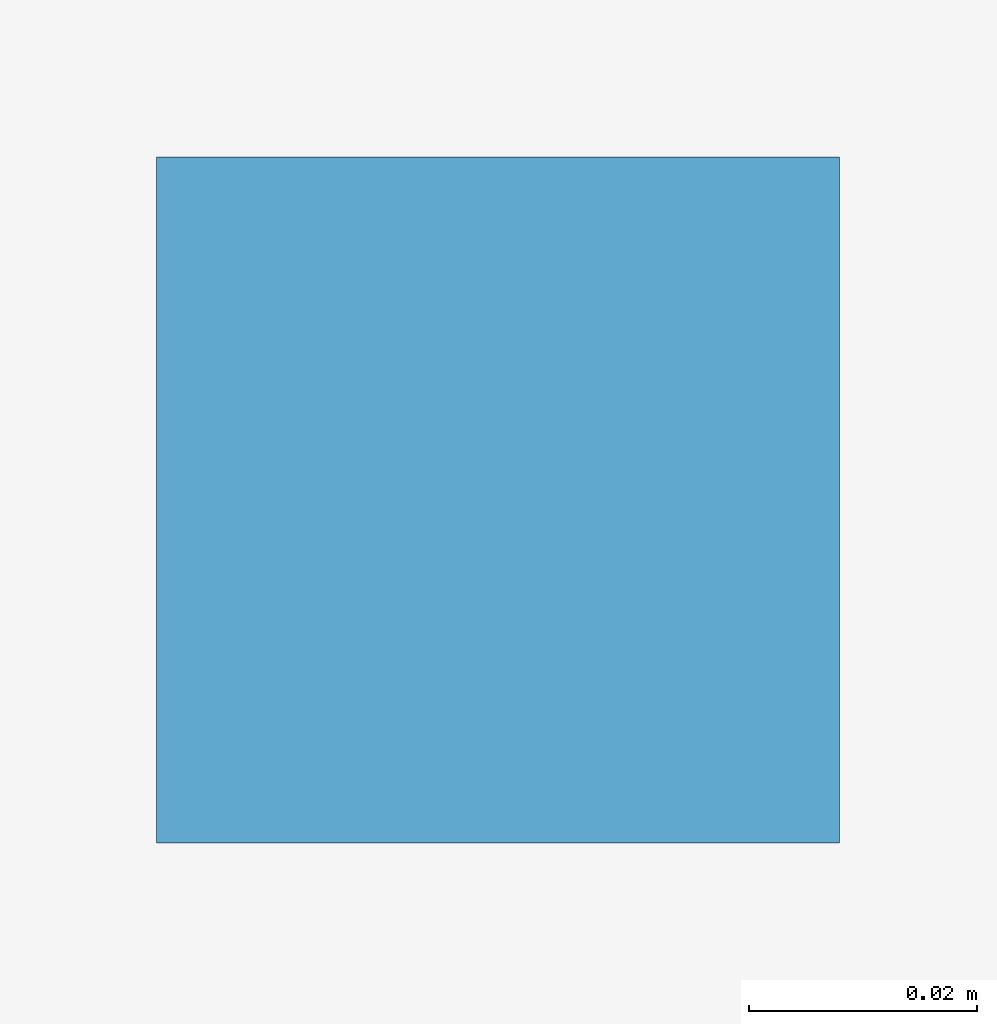
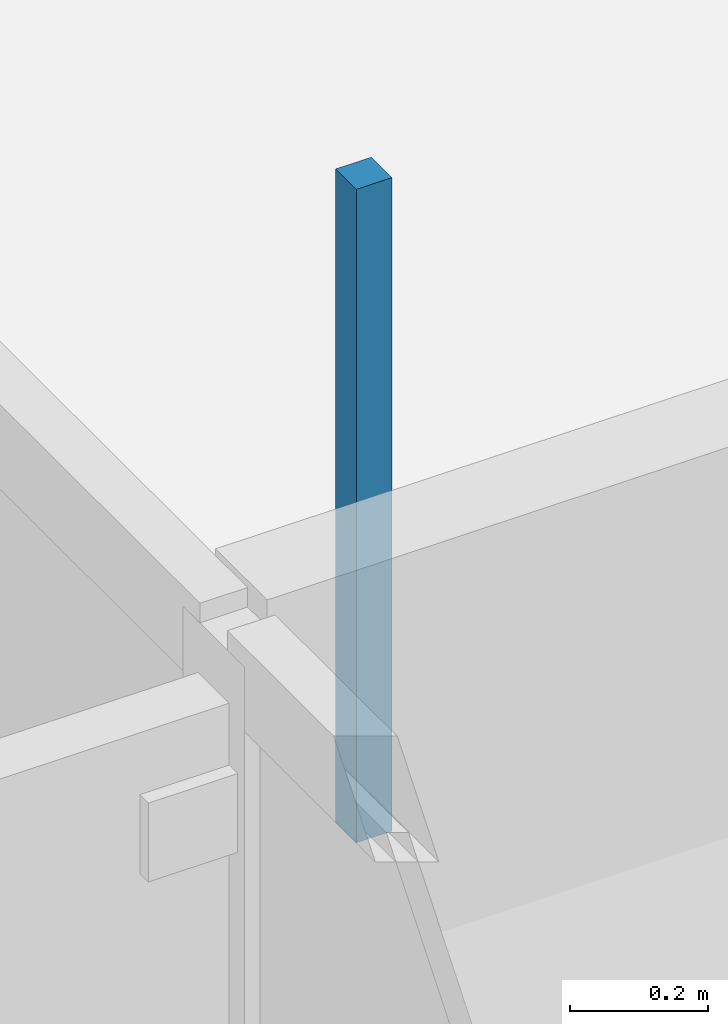
# One storey, part 83 of 110: 1 discrete accessory.
"""IFC4 building model written with IfcOpenShell, lengths in metres."""

import ifcopenshell
import ifcopenshell.guid

model = None  # the IFC model being written
_history = None  # IfcOwnerHistory: only IFC2X3 demands one
_inside = {}  # id of a spatial element -> (the spatial element, [elements in it])
_under = {}  # id of a project, library or spatial element -> (it, [spatial elements below it])
_declared = {}  # id of a project -> (the project, [libraries it declares])
_typed = {}  # id of a type object -> (the type object, [elements of that type])
_made_of = {}  # id of a material, layer set ... -> (it, [elements and type objects made of it])


def new_model(schema):
    """Start an empty IFC model of exactly this schema.

    Asked for "IFC4X3", IfcOpenShell would pick the latest addendum, in which some entities
    have other attributes; the version numbers below select the first issue.
    IFC2X3 requires an IfcOwnerHistory on every rooted entity: one is made here for all.
    """
    global model, _history
    if schema == "IFC4X3":
        model = ifcopenshell.file(schema_version=(4, 3, 0, 0))
    else:
        model = ifcopenshell.file(schema=schema)
    _inside.clear()
    _under.clear()
    _declared.clear()
    _typed.clear()
    _made_of.clear()
    _history = None
    if model.schema == "IFC2X3":
        org = make("IfcOrganization", Name="unknown")
        user = make(
            "IfcPersonAndOrganization",
            ThePerson=make("IfcPerson", FamilyName="unknown"),
            TheOrganization=org,
        )
        app = make(
            "IfcApplication",
            ApplicationDeveloper=org,
            Version="unknown",
            ApplicationFullName="unknown",
            ApplicationIdentifier="unknown",
        )
        _history = make(
            "IfcOwnerHistory",
            OwningUser=user,
            OwningApplication=app,
            ChangeAction="ADDED",
            CreationDate=0,
        )
    return model


def make(cls, **values):
    """One entity of the class cls with the attributes given. An attribute that is None is left unset."""
    return model.create_entity(
        cls, **{name: value for name, value in values.items() if value is not None}
    )


def rooted(cls, **values):
    """An entity with a GlobalId (a new one), such as an element, a storey or a relation."""
    return make(cls, GlobalId=ifcopenshell.guid.new(), OwnerHistory=_history, **values)


def si_unit(unit_type, name, prefix=None):
    """IfcSIUnit, for example si_unit("LENGTHUNIT", "METRE", prefix="MILLI")."""
    return make("IfcSIUnit", UnitType=unit_type, Prefix=prefix, Name=name)


def assignment(units):
    """IfcUnitAssignment: the units of a project."""
    return None if units is None else make("IfcUnitAssignment", Units=units)


def point(xyz):
    """IfcCartesianPoint."""
    return None if xyz is None else make("IfcCartesianPoint", Coordinates=xyz)


def direction(xyz):
    """IfcDirection."""
    return None if xyz is None else make("IfcDirection", DirectionRatios=xyz)


def frame(location, z_axis=None, x_axis=None):
    """IfcAxis2Placement3D, a coordinate frame: its origin and axes. An axis left out is left unset."""
    return make(
        "IfcAxis2Placement3D",
        Location=point(location),
        Axis=direction(z_axis),
        RefDirection=direction(x_axis),
    )


def origin():
    """The frame at (0, 0, 0) with its axes left unset."""
    return frame((0.0, 0.0, 0.0))


def place(relative_to, where):
    """IfcLocalPlacement: puts the frame where relative to a parent placement (None: the world)."""
    return make(
        "IfcLocalPlacement", PlacementRelTo=relative_to, RelativePlacement=where
    )


def context(
    kind, dimensions, precision=None, world=None, true_north=None, identifier=None
):
    """IfcGeometricRepresentationContext, for example the 3D "Model" context."""
    return make(
        "IfcGeometricRepresentationContext",
        ContextIdentifier=identifier,
        ContextType=kind,
        CoordinateSpaceDimension=dimensions,
        Precision=precision,
        WorldCoordinateSystem=world,
        TrueNorth=true_north,
    )


def subcontext(parent, identifier, kind, view, scale=None):
    """IfcGeometricRepresentationSubContext, for example "Body" below "Model"."""
    return make(
        "IfcGeometricRepresentationSubContext",
        ContextIdentifier=identifier,
        ContextType=kind,
        ParentContext=parent,
        TargetScale=scale,
        TargetView=view,
    )


def project(units=None, contexts=None):
    """IfcProject with its units and contexts."""
    return rooted(
        "IfcProject",
        Name="project",
        RepresentationContexts=contexts,
        UnitsInContext=assignment(units),
    )


def spatial(cls, under=None, at=None, **own):
    """A site, building, storey or space (cls), placed at a placement, below another one or the project."""
    s = rooted(cls, ObjectPlacement=at, **own)
    if under is not None:
        _under.setdefault(under.id(), (under, []))[1].append(s)
    return s


def polyline(points):
    """IfcPolyline through the points."""
    return make("IfcPolyline", Points=[point(p) for p in points])


def outline(outer, holes=None, kind="AREA"):
    """IfcArbitraryClosedProfileDef: a profile drawn as a closed curve; with holes, ...WithVoids."""
    if holes is None:
        return make("IfcArbitraryClosedProfileDef", ProfileType=kind, OuterCurve=outer)
    return make(
        "IfcArbitraryProfileDefWithVoids",
        ProfileType=kind,
        OuterCurve=outer,
        InnerCurves=holes,
    )


def extrude(swept, where, along, depth):
    """IfcExtrudedAreaSolid: the profile swept, set in the frame where, extruded along a direction by depth."""
    return make(
        "IfcExtrudedAreaSolid",
        SweptArea=swept,
        Position=where,
        ExtrudedDirection=direction(along),
        Depth=depth,
    )


def shape(context_of_items, identifier, shape_type, items):
    """IfcShapeRepresentation: the items that make up one representation, for example the "Body"."""
    return make(
        "IfcShapeRepresentation",
        ContextOfItems=context_of_items,
        RepresentationIdentifier=identifier,
        RepresentationType=shape_type,
        Items=items,
    )


def material(Name=None, Category=None):
    """IfcMaterial."""
    return make("IfcMaterial", Name=Name, Category=Category)


def made_of(thing, what):
    """Note that an element or type object is made of a material, layer set ...; save() writes the relation."""
    if what is not None:
        _made_of.setdefault(what.id(), (what, []))[1].append(thing)
    return thing


def type_object(cls, material=None, **own):
    """A type object (cls), such as IfcWallType, which elements share."""
    return made_of(rooted(cls, **own), material)


def element(
    cls,
    number,
    at=None,
    inside=None,
    cuts=None,
    type_object=None,
    material=None,
    context=None,
    identifier="Body",
    shape_type=None,
    held_by="IfcProductDefinitionShape",
    body=None,
    shapes=None,
    **own,
):
    """One element of the class cls, such as IfcWall. Its Tag is "e" and its number.

    at: its placement. inside: the storey or other place that contains it. cuts: it is an
    opening in that element (IfcRelVoidsElement). A single representation is given by context,
    identifier, shape_type and body (its items); several are given by shapes. held_by: the class
    of the entity that holds the representations. save() writes the other relations.
    """
    e = rooted(cls, Tag="e%d" % number, ObjectPlacement=at, **own)
    if body is not None:
        shapes = [shape(context, identifier, shape_type, body)]
    if shapes is not None:
        e.Representation = make(held_by, Representations=shapes)
    if inside is not None:
        _inside.setdefault(inside.id(), (inside, []))[1].append(e)
    if cuts is not None:
        rooted(
            "IfcRelVoidsElement", RelatingBuildingElement=cuts, RelatedOpeningElement=e
        )
    if type_object is not None:
        _typed.setdefault(type_object.id(), (type_object, []))[1].append(e)
    return made_of(e, material)


def aggregate(whole, parts):
    """IfcRelAggregates: a whole, such as a stair, and the parts it consists of."""
    return rooted("IfcRelAggregates", RelatingObject=whole, RelatedObjects=parts)


def save(model, path):
    """Write the relations noted so far, then the file.

    IfcRelAggregates (storeys below a building ...), IfcRelContainedInSpatialStructure (elements
    in a storey), IfcRelDefinesByType, IfcRelAssociatesMaterial and IfcRelDeclares: one each for
    every whole, place, type object, material and project.
    """
    for whole, parts in _under.values():
        aggregate(whole, parts)
    for where, things in _inside.values():
        rooted(
            "IfcRelContainedInSpatialStructure",
            RelatedElements=things,
            RelatingStructure=where,
        )
    for kind, things in _typed.values():
        rooted("IfcRelDefinesByType", RelatedObjects=things, RelatingType=kind)
    for what, things in _made_of.values():
        rooted("IfcRelAssociatesMaterial", RelatedObjects=things, RelatingMaterial=what)
    for by, libraries in _declared.values():
        rooted("IfcRelDeclares", RelatingContext=by, RelatedDefinitions=libraries)
    model.write(path)


model = new_model("IFC4")

# Units and contexts
model_context = context("Model", 3, precision=1e-05, world=origin(), true_north=direction((0.0, 1.0)))
body_context = subcontext(model_context, "Body", "Model", "MODEL_VIEW")
ifc_project = project(units=[si_unit("LENGTHUNIT", "METRE"), si_unit("AREAUNIT", "SQUARE_METRE"), si_unit("VOLUMEUNIT", "CUBIC_METRE"), si_unit("PLANEANGLEUNIT", "RADIAN"), si_unit("MASSUNIT", "GRAM", prefix="KILO")], contexts=[model_context])

# Site, building, storey
site_placement = place(None, origin())
site = spatial("IfcSite", under=ifc_project, at=site_placement, CompositionType="ELEMENT")
building_placement = place(site_placement, origin())
building = spatial("IfcBuilding", under=site, at=building_placement, Name="Dunescarp Central Library", CompositionType="ELEMENT")
storey_placement = place(building_placement, frame((0.0, 0.0, 9.60009765625)))
storey = spatial("IfcBuildingStorey", under=building, at=storey_placement, Name="L02", CompositionType="ELEMENT", Elevation=9.60009765625)

# Discrete accessory
ifc_material = material(Name="Stainless steel Grade 316L", Category="steel")
discrete_accessory_type = type_object("IfcDiscreteAccessoryType", Name="ARC-ACC-BRK", PredefinedType="BRACKET", material=ifc_material)
discrete_accessory_placement = place(storey_placement, frame((0.0, 0.0, 3.059814453125)))
element("IfcDiscreteAccessory", 1, at=discrete_accessory_placement, inside=storey, type_object=discrete_accessory_type, Name="L02 ceiling hanger CLG-L02-132-H1", PredefinedType="BRACKET", context=body_context, shape_type="SweptSolid", body=[
    extrude(outline(polyline([(0.360107421875, 77.02001953125), (0.419921875, 77.02001953125), (0.419921875, 77.080078125), (0.360107421875, 77.080078125), (0.360107421875, 77.02001953125)])), origin(), (0.0, 0.0, 1.0), 1.16015625),
])

save(model, "model.ifc")
